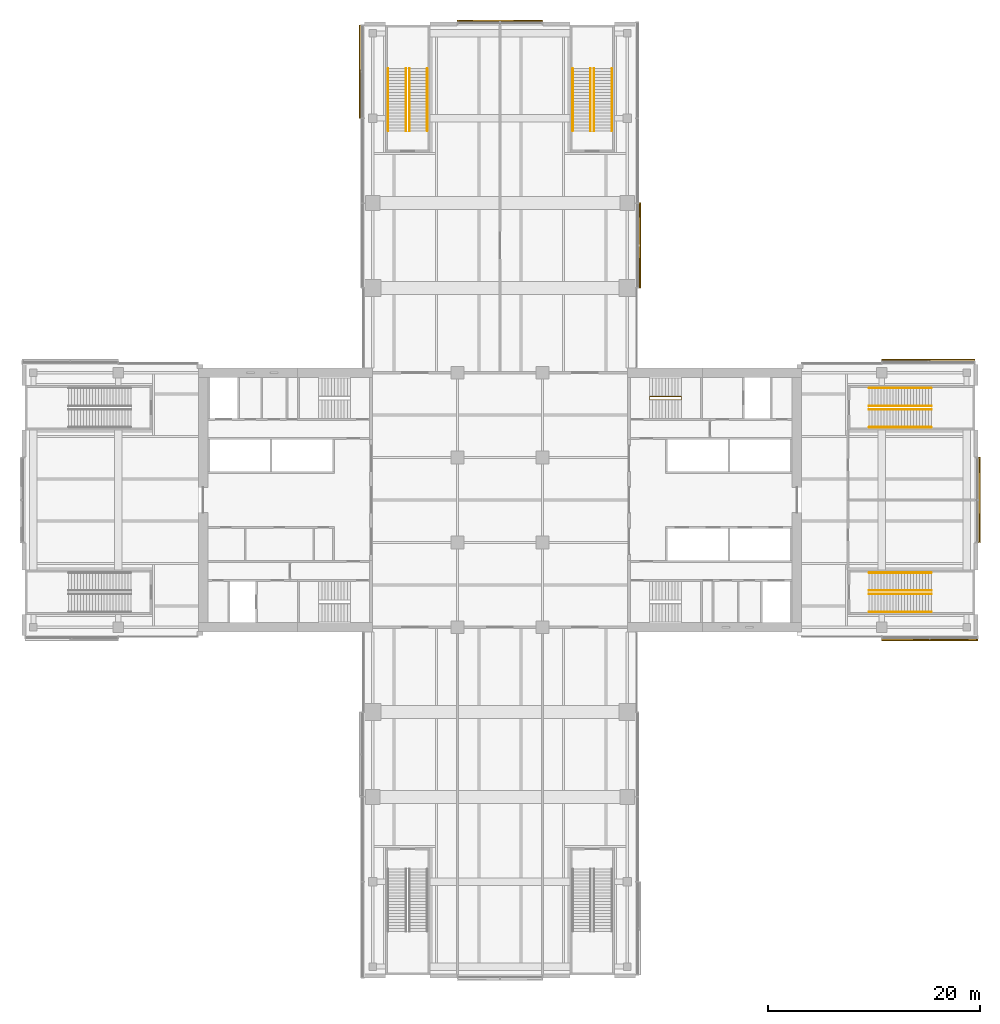
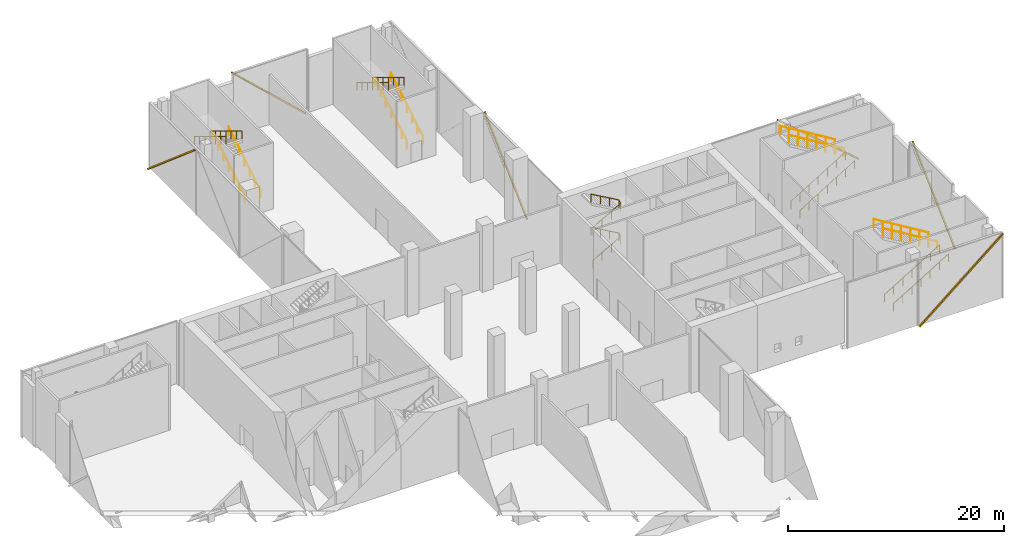
# One storey, part 25 of 25: 17 railings, 6 shading devices, 6 elements without a shape of their own.
"""IFC4 building model written with IfcOpenShell, lengths in metres."""

from ifc_helpers import new_model, si_unit, direction, frame, origin, origin_2d, place, context, subcontext, project, spatial, rectangle, circle, extrude, material, material_profile, profile_set, type_object, element, aggregate, save


model = new_model("IFC4")

# Units and contexts
model_context = context("Model", 3, precision=1e-05, world=origin(), true_north=direction((0.0, 1.0)))
body_context = subcontext(model_context, "Body", "Model", "MODEL_VIEW")
ifc_project = project(units=[si_unit("LENGTHUNIT", "METRE"), si_unit("AREAUNIT", "SQUARE_METRE"), si_unit("VOLUMEUNIT", "CUBIC_METRE"), si_unit("PLANEANGLEUNIT", "RADIAN"), si_unit("MASSUNIT", "GRAM", prefix="KILO")], contexts=[model_context])

# Site, building, storey
site_placement = place(None, origin())
site = spatial("IfcSite", under=ifc_project, at=site_placement, CompositionType="ELEMENT")
building_placement = place(site_placement, origin())
building = spatial("IfcBuilding", under=site, at=building_placement, Name="Crosswind Convention Tower", CompositionType="ELEMENT")
storey_placement = place(building_placement, frame((0.0, 0.0, 17.5)))
storey = spatial("IfcBuildingStorey", under=building, at=storey_placement, Name="L02", CompositionType="ELEMENT", Elevation=17.5)

# Railings
ifc_material_1 = material(Name="Stainless steel", Category="steel")
railing_type_1 = type_object("IfcRailingType", Name="STAIR HANDRAIL 900", PredefinedType="HANDRAIL", material=ifc_material_1)
for number, where, name in (
    (1, (159.800048828125, 89.4599609375, 0.17041015625), "Handrail E1 L02 1"),
    (2, (159.800048828125, 91.139892578125, 0.17041015625), "Handrail E1 L02 2"),
):
    element("IfcRailing", number, at=place(storey_placement, frame(where)), inside=storey, type_object=railing_type_1, Name=name, PredefinedType="HANDRAIL", context=body_context, shape_type="SweptSolid", body=[
        extrude(circle(Radius=0.02392578125, at=origin_2d()), frame((0.0, 0.0, 0.8759765625), z_axis=(0.854164310681, 0.0, 0.520003202259), x_axis=(0.0, 1.0, 0.0)), (0.0, 0.0, 1.0), 6.8837890625),
        extrude(circle(Radius=0.02099609375, at=origin_2d()), origin(), (0.0, 0.0, 1.0), 0.851806640625),
        extrude(circle(Radius=0.02099609375, at=origin_2d()), frame((0.97998046875, 0.0, 0.5966796875)), (0.0, 0.0, 1.0), 0.851806640625),
        extrude(circle(Radius=0.02099609375, at=origin_2d()), frame((1.9599609375, 0.0, 1.193115234375)), (0.0, 0.0, 1.0), 0.851806640625),
        extrude(circle(Radius=0.02099609375, at=origin_2d()), frame((2.93994140625, 0.0, 1.789794921875)), (0.0, 0.0, 1.0), 0.851806640625),
        extrude(circle(Radius=0.02099609375, at=origin_2d()), frame((3.919921875, 0.0, 2.386474609375)), (0.0, 0.0, 1.0), 0.851806640625),
        extrude(circle(Radius=0.02099609375, at=origin_2d()), frame((4.89990234375, 0.0, 2.98291015625)), (0.0, 0.0, 1.0), 0.851806640625),
        extrude(circle(Radius=0.02099609375, at=origin_2d()), frame((5.8798828125, 0.0, 3.57958984375)), (0.0, 0.0, 1.0), 0.851806640625),
    ])
for number, where, name in (
    (3, (165.679931640625, 91.4599609375, 3.92041015625), "Handrail E1 L02 3"),
    (4, (165.679931640625, 93.139892578125, 3.92041015625), "Handrail E1 L02 4"),
):
    element("IfcRailing", number, at=place(storey_placement, frame(where)), inside=storey, type_object=railing_type_1, Name=name, PredefinedType="HANDRAIL", context=body_context, shape_type="SweptSolid", body=[
        extrude(circle(Radius=0.02392578125, at=origin_2d()), frame((0.0, 0.0, 0.8759765625), z_axis=(-0.854164310681, 0.0, 0.520003202259), x_axis=(0.0, -1.0, 0.0)), (0.0, 0.0, 1.0), 6.8837890625),
        extrude(circle(Radius=0.02099609375, at=origin_2d()), origin(), (0.0, 0.0, 1.0), 0.851806640625),
        extrude(circle(Radius=0.02099609375, at=origin_2d()), frame((-0.97998046875, 0.0, 0.5966796875)), (0.0, 0.0, 1.0), 0.851806640625),
        extrude(circle(Radius=0.02099609375, at=origin_2d()), frame((-1.9599609375, 0.0, 1.193115234375)), (0.0, 0.0, 1.0), 0.851806640625),
        extrude(circle(Radius=0.02099609375, at=origin_2d()), frame((-2.93994140625, 0.0, 1.789794921875)), (0.0, 0.0, 1.0), 0.851806640625),
        extrude(circle(Radius=0.02099609375, at=origin_2d()), frame((-3.919921875, 0.0, 2.386474609375)), (0.0, 0.0, 1.0), 0.851806640625),
        extrude(circle(Radius=0.02099609375, at=origin_2d()), frame((-4.89990234375, 0.0, 2.98291015625)), (0.0, 0.0, 1.0), 0.851806640625),
        extrude(circle(Radius=0.02099609375, at=origin_2d()), frame((-5.8798828125, 0.0, 3.57958984375)), (0.0, 0.0, 1.0), 0.851806640625),
    ])
for number, where, name in (
    (5, (159.800048828125, 106.860107421875, 0.17041015625), "Handrail E2 L02 1"),
    (6, (159.800048828125, 108.5400390625, 0.17041015625), "Handrail E2 L02 2"),
):
    element("IfcRailing", number, at=place(storey_placement, frame(where)), inside=storey, type_object=railing_type_1, Name=name, PredefinedType="HANDRAIL", context=body_context, shape_type="SweptSolid", body=[
        extrude(circle(Radius=0.02392578125, at=origin_2d()), frame((0.0, 0.0, 0.8759765625), z_axis=(0.854164310681, 0.0, 0.520003202259), x_axis=(0.0, 1.0, 0.0)), (0.0, 0.0, 1.0), 6.8837890625),
        extrude(circle(Radius=0.02099609375, at=origin_2d()), origin(), (0.0, 0.0, 1.0), 0.851806640625),
        extrude(circle(Radius=0.02099609375, at=origin_2d()), frame((0.97998046875, 0.0, 0.5966796875)), (0.0, 0.0, 1.0), 0.851806640625),
        extrude(circle(Radius=0.02099609375, at=origin_2d()), frame((1.9599609375, 0.0, 1.193115234375)), (0.0, 0.0, 1.0), 0.851806640625),
        extrude(circle(Radius=0.02099609375, at=origin_2d()), frame((2.93994140625, 0.0, 1.789794921875)), (0.0, 0.0, 1.0), 0.851806640625),
        extrude(circle(Radius=0.02099609375, at=origin_2d()), frame((3.919921875, 0.0, 2.386474609375)), (0.0, 0.0, 1.0), 0.851806640625),
        extrude(circle(Radius=0.02099609375, at=origin_2d()), frame((4.89990234375, 0.0, 2.98291015625)), (0.0, 0.0, 1.0), 0.851806640625),
        extrude(circle(Radius=0.02099609375, at=origin_2d()), frame((5.8798828125, 0.0, 3.57958984375)), (0.0, 0.0, 1.0), 0.851806640625),
    ])
for number, where, name in (
    (7, (165.679931640625, 108.860107421875, 3.92041015625), "Handrail E2 L02 3"),
    (8, (165.679931640625, 110.5400390625, 3.92041015625), "Handrail E2 L02 4"),
):
    element("IfcRailing", number, at=place(storey_placement, frame(where)), inside=storey, type_object=railing_type_1, Name=name, PredefinedType="HANDRAIL", context=body_context, shape_type="SweptSolid", body=[
        extrude(circle(Radius=0.02392578125, at=origin_2d()), frame((0.0, 0.0, 0.8759765625), z_axis=(-0.854164310681, 0.0, 0.520003202259), x_axis=(0.0, -1.0, 0.0)), (0.0, 0.0, 1.0), 6.8837890625),
        extrude(circle(Radius=0.02099609375, at=origin_2d()), origin(), (0.0, 0.0, 1.0), 0.851806640625),
        extrude(circle(Radius=0.02099609375, at=origin_2d()), frame((-0.97998046875, 0.0, 0.5966796875)), (0.0, 0.0, 1.0), 0.851806640625),
        extrude(circle(Radius=0.02099609375, at=origin_2d()), frame((-1.9599609375, 0.0, 1.193115234375)), (0.0, 0.0, 1.0), 0.851806640625),
        extrude(circle(Radius=0.02099609375, at=origin_2d()), frame((-2.93994140625, 0.0, 1.789794921875)), (0.0, 0.0, 1.0), 0.851806640625),
        extrude(circle(Radius=0.02099609375, at=origin_2d()), frame((-3.919921875, 0.0, 2.386474609375)), (0.0, 0.0, 1.0), 0.851806640625),
        extrude(circle(Radius=0.02099609375, at=origin_2d()), frame((-4.89990234375, 0.0, 2.98291015625)), (0.0, 0.0, 1.0), 0.851806640625),
        extrude(circle(Radius=0.02099609375, at=origin_2d()), frame((-5.8798828125, 0.0, 3.57958984375)), (0.0, 0.0, 1.0), 0.851806640625),
    ])
for number, where, name in (
    (9, (118.139892578125, 134.800048828125, 0.17041015625), "Handrail N1 L02 1"),
    (10, (116.4599609375, 134.800048828125, 0.17041015625), "Handrail N1 L02 2"),
):
    element("IfcRailing", number, at=place(storey_placement, frame(where)), inside=storey, type_object=railing_type_1, Name=name, PredefinedType="HANDRAIL", context=body_context, shape_type="SweptSolid", body=[
        extrude(circle(Radius=0.02392578125, at=origin_2d()), frame((0.0, 0.0, 0.8759765625), z_axis=(0.0, 0.854164310681, 0.520003202259), x_axis=(-1.0, 0.0, 0.0)), (0.0, 0.0, 1.0), 6.8837890625),
        extrude(circle(Radius=0.02099609375, at=origin_2d()), origin(), (0.0, 0.0, 1.0), 0.851806640625),
        extrude(circle(Radius=0.02099609375, at=origin_2d()), frame((0.0, 0.97998046875, 0.5966796875)), (0.0, 0.0, 1.0), 0.851806640625),
        extrude(circle(Radius=0.02099609375, at=origin_2d()), frame((0.0, 1.9599609375, 1.193115234375)), (0.0, 0.0, 1.0), 0.851806640625),
        extrude(circle(Radius=0.02099609375, at=origin_2d()), frame((0.0, 2.93994140625, 1.789794921875)), (0.0, 0.0, 1.0), 0.851806640625),
        extrude(circle(Radius=0.02099609375, at=origin_2d()), frame((0.0, 3.919921875, 2.386474609375)), (0.0, 0.0, 1.0), 0.851806640625),
        extrude(circle(Radius=0.02099609375, at=origin_2d()), frame((0.0, 4.89990234375, 2.98291015625)), (0.0, 0.0, 1.0), 0.851806640625),
        extrude(circle(Radius=0.02099609375, at=origin_2d()), frame((0.0, 5.8798828125, 3.57958984375)), (0.0, 0.0, 1.0), 0.851806640625),
    ])
for number, where, name in (
    (11, (116.139892578125, 140.679931640625, 3.92041015625), "Handrail N1 L02 3"),
    (12, (114.4599609375, 140.679931640625, 3.92041015625), "Handrail N1 L02 4"),
):
    element("IfcRailing", number, at=place(storey_placement, frame(where)), inside=storey, type_object=railing_type_1, Name=name, PredefinedType="HANDRAIL", context=body_context, shape_type="SweptSolid", body=[
        extrude(circle(Radius=0.02392578125, at=origin_2d()), frame((0.0, 0.0, 0.8759765625), z_axis=(0.0, -0.854164310681, 0.520003202259), x_axis=(1.0, 0.0, 0.0)), (0.0, 0.0, 1.0), 6.8837890625),
        extrude(circle(Radius=0.02099609375, at=origin_2d()), origin(), (0.0, 0.0, 1.0), 0.851806640625),
        extrude(circle(Radius=0.02099609375, at=origin_2d()), frame((0.0, -0.97998046875, 0.5966796875)), (0.0, 0.0, 1.0), 0.851806640625),
        extrude(circle(Radius=0.02099609375, at=origin_2d()), frame((0.0, -1.9599609375, 1.193115234375)), (0.0, 0.0, 1.0), 0.851806640625),
        extrude(circle(Radius=0.02099609375, at=origin_2d()), frame((0.0, -2.93994140625, 1.789794921875)), (0.0, 0.0, 1.0), 0.851806640625),
        extrude(circle(Radius=0.02099609375, at=origin_2d()), frame((0.0, -3.919921875, 2.386474609375)), (0.0, 0.0, 1.0), 0.851806640625),
        extrude(circle(Radius=0.02099609375, at=origin_2d()), frame((0.0, -4.89990234375, 2.98291015625)), (0.0, 0.0, 1.0), 0.851806640625),
        extrude(circle(Radius=0.02099609375, at=origin_2d()), frame((0.0, -5.8798828125, 3.57958984375)), (0.0, 0.0, 1.0), 0.851806640625),
    ])
for number, where, name in (
    (13, (135.5400390625, 134.800048828125, 0.17041015625), "Handrail N2 L02 1"),
    (14, (133.860107421875, 134.800048828125, 0.17041015625), "Handrail N2 L02 2"),
):
    element("IfcRailing", number, at=place(storey_placement, frame(where)), inside=storey, type_object=railing_type_1, Name=name, PredefinedType="HANDRAIL", context=body_context, shape_type="SweptSolid", body=[
        extrude(circle(Radius=0.02392578125, at=origin_2d()), frame((0.0, 0.0, 0.8759765625), z_axis=(0.0, 0.854164310681, 0.520003202259), x_axis=(-1.0, 0.0, 0.0)), (0.0, 0.0, 1.0), 6.8837890625),
        extrude(circle(Radius=0.02099609375, at=origin_2d()), origin(), (0.0, 0.0, 1.0), 0.851806640625),
        extrude(circle(Radius=0.02099609375, at=origin_2d()), frame((0.0, 0.97998046875, 0.5966796875)), (0.0, 0.0, 1.0), 0.851806640625),
        extrude(circle(Radius=0.02099609375, at=origin_2d()), frame((0.0, 1.9599609375, 1.193115234375)), (0.0, 0.0, 1.0), 0.851806640625),
        extrude(circle(Radius=0.02099609375, at=origin_2d()), frame((0.0, 2.93994140625, 1.789794921875)), (0.0, 0.0, 1.0), 0.851806640625),
        extrude(circle(Radius=0.02099609375, at=origin_2d()), frame((0.0, 3.919921875, 2.386474609375)), (0.0, 0.0, 1.0), 0.851806640625),
        extrude(circle(Radius=0.02099609375, at=origin_2d()), frame((0.0, 4.89990234375, 2.98291015625)), (0.0, 0.0, 1.0), 0.851806640625),
        extrude(circle(Radius=0.02099609375, at=origin_2d()), frame((0.0, 5.8798828125, 3.57958984375)), (0.0, 0.0, 1.0), 0.851806640625),
    ])
for number, where, name in (
    (15, (133.5400390625, 140.679931640625, 3.92041015625), "Handrail N2 L02 3"),
    (16, (131.860107421875, 140.679931640625, 3.92041015625), "Handrail N2 L02 4"),
):
    element("IfcRailing", number, at=place(storey_placement, frame(where)), inside=storey, type_object=railing_type_1, Name=name, PredefinedType="HANDRAIL", context=body_context, shape_type="SweptSolid", body=[
        extrude(circle(Radius=0.02392578125, at=origin_2d()), frame((0.0, 0.0, 0.8759765625), z_axis=(0.0, -0.854164310681, 0.520003202259), x_axis=(1.0, 0.0, 0.0)), (0.0, 0.0, 1.0), 6.8837890625),
        extrude(circle(Radius=0.02099609375, at=origin_2d()), origin(), (0.0, 0.0, 1.0), 0.851806640625),
        extrude(circle(Radius=0.02099609375, at=origin_2d()), frame((0.0, -0.97998046875, 0.5966796875)), (0.0, 0.0, 1.0), 0.851806640625),
        extrude(circle(Radius=0.02099609375, at=origin_2d()), frame((0.0, -1.9599609375, 1.193115234375)), (0.0, 0.0, 1.0), 0.851806640625),
        extrude(circle(Radius=0.02099609375, at=origin_2d()), frame((0.0, -2.93994140625, 1.789794921875)), (0.0, 0.0, 1.0), 0.851806640625),
        extrude(circle(Radius=0.02099609375, at=origin_2d()), frame((0.0, -3.919921875, 2.386474609375)), (0.0, 0.0, 1.0), 0.851806640625),
        extrude(circle(Radius=0.02099609375, at=origin_2d()), frame((0.0, -4.89990234375, 2.98291015625)), (0.0, 0.0, 1.0), 0.851806640625),
        extrude(circle(Radius=0.02099609375, at=origin_2d()), frame((0.0, -5.8798828125, 3.57958984375)), (0.0, 0.0, 1.0), 0.851806640625),
    ])
railing_type_2 = type_object("IfcRailingType", Name="Stair handrail 900", PredefinedType="HANDRAIL", material=ifc_material_1)
railing_placement = place(storey_placement, frame((139.10009765625, 109.43994140625, 0.17041015625)))
element("IfcRailing", 17, at=railing_placement, inside=storey, type_object=railing_type_2, Name="Stair ST1 handrail L02", PredefinedType="HANDRAIL", context=body_context, shape_type="SweptSolid", body=[
    extrude(circle(Radius=0.02392578125, at=origin_2d()), frame((0.0, 0.0, 0.8759765625), z_axis=(0.869451031676, 0.0, 0.494019132744), x_axis=(0.0, 1.0, 0.0)), (0.0, 0.0, 1.0), 3.450439453125),
    extrude(circle(Radius=0.02392578125, at=origin_2d()), frame((3.0, 0.0, 2.58056640625), z_axis=(0.0, 0.882688199001, 0.469959086883), x_axis=(-1.0, 0.0, 0.0)), (0.0, 0.0, 1.0), 0.362548828125),
    extrude(circle(Radius=0.02392578125, at=origin_2d()), frame((3.0, 0.320068359375, 2.7509765625), z_axis=(-0.869451031676, 0.0, 0.494019132744), x_axis=(0.0, -1.0, 0.0)), (0.0, 0.0, 1.0), 3.450439453125),
    extrude(circle(Radius=0.02392578125, at=origin_2d()), frame((0.0, 0.320068359375, 4.45556640625), z_axis=(0.0, -0.882688199001, 0.469959086883), x_axis=(1.0, 0.0, 0.0)), (0.0, 0.0, 1.0), 0.362548828125),
    extrude(circle(Radius=0.02392578125, at=origin_2d()), frame((0.0, 0.0, 4.6259765625), z_axis=(0.869451031676, 0.0, 0.494019132744), x_axis=(0.0, 1.0, 0.0)), (0.0, 0.0, 1.0), 3.450439453125),
    extrude(circle(Radius=0.02392578125, at=origin_2d()), frame((3.0, 0.0, 6.33056640625), z_axis=(0.0, 0.882688199001, 0.469959086883), x_axis=(-1.0, 0.0, 0.0)), (0.0, 0.0, 1.0), 0.362548828125),
    extrude(circle(Radius=0.02392578125, at=origin_2d()), frame((3.0, 0.320068359375, 6.5009765625), z_axis=(-0.869451031676, 0.0, 0.494019132744), x_axis=(0.0, -1.0, 0.0)), (0.0, 0.0, 1.0), 3.450439453125),
    extrude(circle(Radius=0.02099609375, at=origin_2d()), origin(), (0.0, 0.0, 1.0), 0.851806640625),
    extrude(circle(Radius=0.02099609375, at=origin_2d()), frame((1.0, 0.0, 0.568115234375)), (0.0, 0.0, 1.0), 0.851806640625),
    extrude(circle(Radius=0.02099609375, at=origin_2d()), frame((2.0, 0.0, 1.136474609375)), (0.0, 0.0, 1.0), 0.851806640625),
    extrude(circle(Radius=0.02099609375, at=origin_2d()), frame((3.0, 0.0, 1.70458984375)), (0.0, 0.0, 1.0), 0.851806640625),
    extrude(circle(Radius=0.02099609375, at=origin_2d()), frame((3.0, 0.320068359375, 1.875)), (0.0, 0.0, 1.0), 0.851806640625),
    extrude(circle(Radius=0.02099609375, at=origin_2d()), frame((2.0, 0.320068359375, 2.443115234375)), (0.0, 0.0, 1.0), 0.851806640625),
    extrude(circle(Radius=0.02099609375, at=origin_2d()), frame((1.0, 0.320068359375, 3.011474609375)), (0.0, 0.0, 1.0), 0.851806640625),
    extrude(circle(Radius=0.02099609375, at=origin_2d()), frame((0.0, 0.320068359375, 3.57958984375)), (0.0, 0.0, 1.0), 0.851806640625),
    extrude(circle(Radius=0.02099609375, at=origin_2d()), frame((0.0, 0.0, 3.75)), (0.0, 0.0, 1.0), 0.851806640625),
    extrude(circle(Radius=0.02099609375, at=origin_2d()), frame((1.0, 0.0, 4.318115234375)), (0.0, 0.0, 1.0), 0.851806640625),
    extrude(circle(Radius=0.02099609375, at=origin_2d()), frame((2.0, 0.0, 4.886474609375)), (0.0, 0.0, 1.0), 0.851806640625),
    extrude(circle(Radius=0.02099609375, at=origin_2d()), frame((3.0, 0.0, 5.45458984375)), (0.0, 0.0, 1.0), 0.851806640625),
    extrude(circle(Radius=0.02099609375, at=origin_2d()), frame((3.0, 0.320068359375, 5.625)), (0.0, 0.0, 1.0), 0.851806640625),
    extrude(circle(Radius=0.02099609375, at=origin_2d()), frame((2.0, 0.320068359375, 6.193115234375)), (0.0, 0.0, 1.0), 0.851806640625),
    extrude(circle(Radius=0.02099609375, at=origin_2d()), frame((1.0, 0.320068359375, 6.761474609375)), (0.0, 0.0, 1.0), 0.851806640625),
    extrude(circle(Radius=0.02099609375, at=origin_2d()), frame((0.0, 0.320068359375, 7.32958984375)), (0.0, 0.0, 1.0), 0.851806640625),
])

# Curtain wall, shading device
ifc_material_2 = material(Name="Aluminium unitised curtain wall", Category="aluminium")
curtain_wall_type = type_object("IfcCurtainWallType", Name="PODIUM UNITISED WALL 300", PredefinedType="USERDEFINED", material=ifc_material_2)
curtain_wall_1_placement = place(storey_placement, origin())
curtain_wall_1 = element("IfcCurtainWall", 18, at=curtain_wall_1_placement, inside=storey, type_object=curtain_wall_type, Name="CW1 L02 E-TIP 1", ObjectType="UNITISED", PredefinedType="USERDEFINED")
ifc_material_3 = material(Name="Extruded terracotta", Category="masonry")
ifc_material_profile = material_profile(ifc_material_3, rectangle(XDim=0.139892578125, YDim=0.159912109375, at=origin_2d()), Name="TC 140X160")
ifc_profile_set = profile_set([ifc_material_profile], Name="Extruded terracotta")
shading_device_type = type_object("IfcShadingDeviceType", Name="TERRACOTTA BAGUETTE 160X140", PredefinedType="USERDEFINED", material=ifc_profile_set)
shading_device_1_placement = place(storey_placement, frame((170.194091796875, 96.0400390625, -0.39990234375), z_axis=(0.0, 0.72976726653, 0.683695646251), x_axis=(-1.0, 0.0, 0.0)))
shading_device_1 = element("IfcShadingDevice", 19, at=shading_device_1_placement, type_object=shading_device_type, Name="CW1 terracotta baguette 1", ObjectType="BAGUETTE", PredefinedType="USERDEFINED", context=body_context, shape_type="SweptSolid", body=[
    extrude(rectangle(XDim=0.139892578125, YDim=0.159912109375, at=origin_2d()), origin(), (0.0, 0.0, 1.0), 10.852783203125),
])
aggregate(curtain_wall_1, [shading_device_1])

curtain_wall_2_placement = place(storey_placement, origin())
curtain_wall_2 = element("IfcCurtainWall", 20, at=curtain_wall_2_placement, inside=storey, type_object=curtain_wall_type, Name="CW1 L02 E-N 1", ObjectType="UNITISED", PredefinedType="USERDEFINED")
shading_device_2_placement = place(storey_placement, frame((169.719970703125, 113.194091796875, -0.39990234375), z_axis=(-0.760122195951, 0.0, 0.649780152992), x_axis=(0.0, -1.0, 0.0)))
shading_device_2 = element("IfcShadingDevice", 21, at=shading_device_2_placement, type_object=shading_device_type, Name="CW1 terracotta baguette 1", ObjectType="BAGUETTE", PredefinedType="USERDEFINED", context=body_context, shape_type="SweptSolid", body=[
    extrude(rectangle(XDim=0.139892578125, YDim=0.159912109375, at=origin_2d()), origin(), (0.0, 0.0, 1.0), 11.419189453125),
])
aggregate(curtain_wall_2, [shading_device_2])

curtain_wall_3_placement = place(storey_placement, origin())
curtain_wall_3 = element("IfcCurtainWall", 22, at=curtain_wall_3_placement, inside=storey, type_object=curtain_wall_type, Name="CW1 L02 N-E 1", ObjectType="UNITISED", PredefinedType="USERDEFINED")
shading_device_3_placement = place(storey_placement, frame((138.194091796875, 120.0400390625, -0.39990234375), z_axis=(0.0, 0.72976726653, 0.683695646251), x_axis=(-1.0, 0.0, 0.0)))
shading_device_3 = element("IfcShadingDevice", 23, at=shading_device_3_placement, type_object=shading_device_type, Name="CW1 terracotta baguette 1", ObjectType="BAGUETTE", PredefinedType="USERDEFINED", context=body_context, shape_type="SweptSolid", body=[
    extrude(rectangle(XDim=0.139892578125, YDim=0.159912109375, at=origin_2d()), origin(), (0.0, 0.0, 1.0), 10.852783203125),
])
aggregate(curtain_wall_3, [shading_device_3])

curtain_wall_4_placement = place(storey_placement, origin())
curtain_wall_4 = element("IfcCurtainWall", 24, at=curtain_wall_4_placement, inside=storey, type_object=curtain_wall_type, Name="CW1 L02 N-TIP 1", ObjectType="UNITISED", PredefinedType="USERDEFINED")
shading_device_4_placement = place(storey_placement, frame((128.9599609375, 145.194091796875, -0.39990234375), z_axis=(-0.72976726653, 0.0, 0.683695646251), x_axis=(0.0, -1.0, 0.0)))
shading_device_4 = element("IfcShadingDevice", 25, at=shading_device_4_placement, type_object=shading_device_type, Name="CW1 terracotta baguette 1", ObjectType="BAGUETTE", PredefinedType="USERDEFINED", context=body_context, shape_type="SweptSolid", body=[
    extrude(rectangle(XDim=0.139892578125, YDim=0.159912109375, at=origin_2d()), origin(), (0.0, 0.0, 1.0), 10.852783203125),
])
aggregate(curtain_wall_4, [shading_device_4])

curtain_wall_5_placement = place(storey_placement, origin())
curtain_wall_5 = element("IfcCurtainWall", 26, at=curtain_wall_5_placement, inside=storey, type_object=curtain_wall_type, Name="CW1 L02 N-W 1", ObjectType="UNITISED", PredefinedType="USERDEFINED")
shading_device_5_placement = place(storey_placement, frame((111.805908203125, 144.719970703125, -0.39990234375), z_axis=(0.0, -0.760122195951, 0.649780152992), x_axis=(1.0, 0.0, 0.0)))
shading_device_5 = element("IfcShadingDevice", 27, at=shading_device_5_placement, type_object=shading_device_type, Name="CW1 terracotta baguette 1", ObjectType="BAGUETTE", PredefinedType="USERDEFINED", context=body_context, shape_type="SweptSolid", body=[
    extrude(rectangle(XDim=0.139892578125, YDim=0.159912109375, at=origin_2d()), origin(), (0.0, 0.0, 1.0), 11.419189453125),
])
aggregate(curtain_wall_5, [shading_device_5])

curtain_wall_6_placement = place(storey_placement, origin())
curtain_wall_6 = element("IfcCurtainWall", 28, at=curtain_wall_6_placement, inside=storey, type_object=curtain_wall_type, Name="CW1 L02 E-S 2", ObjectType="UNITISED", PredefinedType="USERDEFINED")
shading_device_6_placement = place(storey_placement, frame((161.0400390625, 86.805908203125, -0.39990234375), z_axis=(0.770363050993, 0.0, 0.63760549689), x_axis=(0.0, 1.0, 0.0)))
shading_device_6 = element("IfcShadingDevice", 29, at=shading_device_6_placement, type_object=shading_device_type, Name="CW1 terracotta baguette 1", ObjectType="BAGUETTE", PredefinedType="USERDEFINED", context=body_context, shape_type="SweptSolid", body=[
    extrude(rectangle(XDim=0.139892578125, YDim=0.159912109375, at=origin_2d()), origin(), (0.0, 0.0, 1.0), 11.63720703125),
])
aggregate(curtain_wall_6, [shading_device_6])

save(model, "model.ifc")
